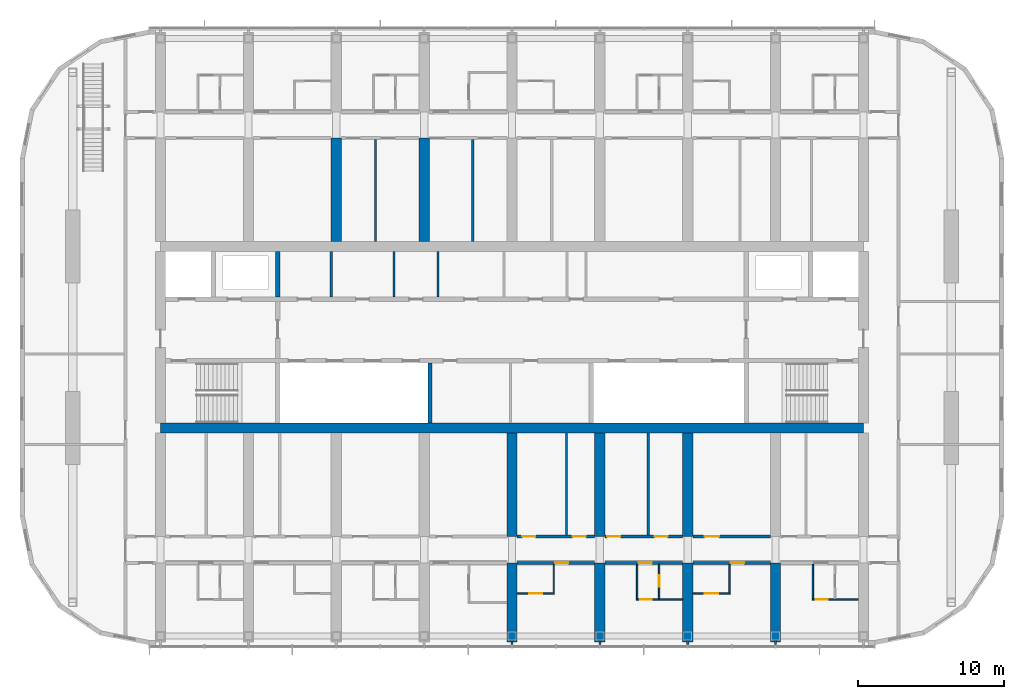
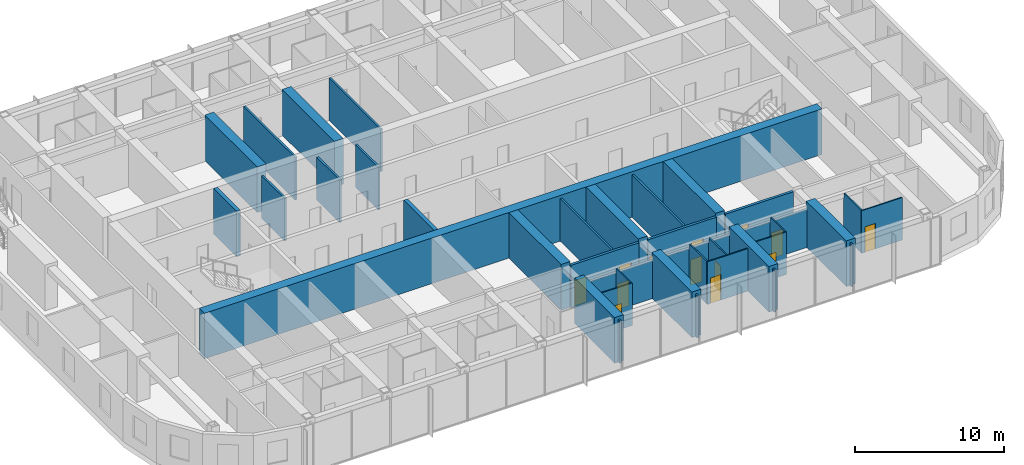
# One storey, part 14 of 26: 38 walls, 13 doors, 13 openings.
"""IFC4 building model written with IfcOpenShell, lengths in metres."""

from ifc_helpers import new_model, si_unit, direction, frame, frame_2d, origin, place, context, subcontext, project, spatial, polyline, rectangle, outline, extrude, material, layer, layer_set, type_object, element, fill, save


model = new_model("IFC4")

# Units and contexts
model_context = context("Model", 3, precision=1e-05, world=origin(), true_north=direction((0.0, 1.0)))
body_context = subcontext(model_context, "Body", "Model", "MODEL_VIEW")
ifc_project = project(units=[si_unit("LENGTHUNIT", "METRE"), si_unit("AREAUNIT", "SQUARE_METRE"), si_unit("VOLUMEUNIT", "CUBIC_METRE"), si_unit("PLANEANGLEUNIT", "RADIAN"), si_unit("MASSUNIT", "GRAM", prefix="KILO")], contexts=[model_context])

# Site, building, storey
site_placement = place(None, origin())
site = spatial("IfcSite", under=ifc_project, at=site_placement, CompositionType="ELEMENT")
building_placement = place(site_placement, origin())
building = spatial("IfcBuilding", under=site, at=building_placement, Name="Orbita Commons", CompositionType="ELEMENT")
storey_placement = place(building_placement, frame((0.0, 0.0, 231.550048828125)))
storey = spatial("IfcBuildingStorey", under=building, at=storey_placement, Name="L57", CompositionType="ELEMENT", Elevation=231.550048828125)

# Walls
ifc_material_1 = material(Name="Concrete C50/60", Category="concrete")
ifc_layer_1 = layer(ifc_material_1, 0.300048828125)
ifc_layer_set_1 = layer_set([ifc_layer_1], Name="Concrete C50/60")
wall_type_1 = type_object("IfcWallType", Name="Core inner wall 300 C50/60", PredefinedType="SHEAR", material=ifc_layer_set_1)
wall_1_placement = place(storey_placement, frame((26.0, 34.75, 0.0), z_axis=(0.0, 0.0, 1.0), x_axis=(0.0, 1.0, 0.0)))
element("IfcWall", 1, at=wall_1_placement, inside=storey, type_object=wall_type_1, Name="Riser wall west L57", PredefinedType="SHEAR", context=body_context, shape_type="SweptSolid", body=[
    extrude(rectangle(XDim=3.10009765625, YDim=0.300048828125, at=frame_2d((1.550048828125, 0.0))), origin(), (0.0, 0.0, 1.0), 3.75),
])
wall_2_placement = place(storey_placement, frame((36.39990234375, 26.14990234375, 0.0), z_axis=(0.0, 0.0, 1.0), x_axis=(0.0, 1.0, 0.0)))
element("IfcWall", 2, at=wall_2_placement, inside=storey, type_object=wall_type_1, Name="Hoistway division wall L57", PredefinedType="SHEAR", context=body_context, shape_type="SweptSolid", body=[
    extrude(rectangle(XDim=4.10009765625, YDim=0.300048828125, at=frame_2d((2.050048828125, 0.0))), origin(), (0.0, 0.0, 1.0), 3.75),
])
ifc_material_2 = material(Name="Concrete blockwork", Category="masonry")
ifc_layer_2 = layer(ifc_material_2, 0.14990234375)
ifc_layer_set_2 = layer_set([ifc_layer_2], Name="Concrete blockwork")
wall_type_2 = type_object("IfcWallType", Name="Core partition 150 blockwork", PredefinedType="SOLIDWALL", material=ifc_layer_set_2)
for number, where, z_axis, x_axis, name in (
    (3, (29.65087890625, 34.75, 0.0), (0.0, 0.0, 1.0), (0.0, 1.0, 0.0), "Core partition 150 blockwork L57"),
    (4, (33.9462890625, 34.75, 0.0), (0.0, 0.0, 1.0), (0.0, 1.0, 0.0), "Core partition 150 blockwork L57"),
    (5, (36.9462890625, 34.75, 0.0), (0.0, 0.0, 1.0), (0.0, 1.0, 0.0), "Core partition 150 blockwork L57"),
):
    element("IfcWall", number, at=place(storey_placement, frame(where, z_axis=z_axis, x_axis=x_axis)), inside=storey, type_object=wall_type_2, Name=name, PredefinedType="SOLIDWALL", context=body_context, shape_type="SweptSolid", body=[
        extrude(rectangle(XDim=3.10009765625, YDim=0.14990234375, at=frame_2d((1.550048828125, 0.0))), origin(), (0.0, 0.0, 1.0), 3.5),
    ])
ifc_material_3 = material(Name="Concrete C50/60", Category="concrete")
ifc_layer_3 = layer(ifc_material_3, 0.699951171875)
ifc_layer_set_3 = layer_set([ifc_layer_3], Name="Concrete C50/60")
wall_type_3 = type_object("IfcWallType", Name="Core wall 700 C50/60", PredefinedType="SHEAR", material=ifc_layer_set_3)
wall_3_placement = place(storey_placement, frame((18.0, 25.800048828125, 0.0), z_axis=(0.0, 0.0, 1.0), x_axis=(1.0, 0.0, 0.0)))
element("IfcWall", 6, at=wall_3_placement, inside=storey, type_object=wall_type_3, Name="Core spine wall south L57", PredefinedType="SHEAR", context=body_context, shape_type="SweptSolid", body=[
    extrude(rectangle(XDim=48.0, YDim=0.699951171875, at=frame_2d((24.0, 0.0))), origin(), (0.0, 0.0, 1.0), 3.75),
])

# Wall, opening, door
ifc_material_4 = material(Name="Concrete blockwork", Category="masonry")
ifc_layer_4 = layer(ifc_material_4, 0.199951171875)
ifc_layer_set_4 = layer_set([ifc_layer_4], Name="Concrete blockwork")
wall_type_4 = type_object("IfcWallType", Name="Corridor wall 200 blockwork", PredefinedType="SOLIDWALL", material=ifc_layer_set_4)
wall_4_placement = place(storey_placement, frame((42.35009765625, 16.60009765625, 0.0), z_axis=(0.0, 0.0, 1.0), x_axis=(1.0, 0.0, 0.0)))
wall_4 = element("IfcWall", 7, at=wall_4_placement, inside=storey, type_object=wall_type_4, Name="Corridor wall 200 blockwork L57", PredefinedType="SOLIDWALL", context=body_context, shape_type="SweptSolid", body=[
    extrude(outline(polyline([(0.0, 0.0), (5.2998046875, 0.0), (5.300048828125, 3.099853515625), (0.0, 3.099853515625), (0.0, 0.0)])), frame((0.0, 0.10009765625, 0.0), z_axis=(0.0, -1.0, 0.0), x_axis=(1.0, 0.0, 0.0)), (0.0, 0.0, 1.0), 0.199951171875),
])
opening_1_placement = place(wall_4_placement, frame((2.60009765625, 0.0, 0.0)))
opening_1 = element("IfcOpeningElement", 8, at=opening_1_placement, cuts=wall_4, Name="Opening D11", PredefinedType="OPENING", context=body_context, shape_type="SweptSolid", body=[
    extrude(rectangle(XDim=0.89990234375, YDim=2.10009765625, at=frame_2d((0.449951171875, 1.050048828125))), frame((0.0, 0.10986328125, 0.0), z_axis=(0.0, -1.0, 0.0), x_axis=(1.0, 0.0, 0.0)), (0.0, 0.0, 1.0), 0.219970703125),
])
ifc_material_5 = material(Name="Steel-faced fire door leaf", Category="steel")
door_type_1 = type_object("IfcDoorType", Name="Corridor door 20 min 900x2100", OperationType="SINGLE_SWING_LEFT", PredefinedType="DOOR", material=ifc_material_5)
door_1_placement = place(opening_1_placement, origin())
door_1 = element("IfcDoor", 9, at=door_1_placement, inside=storey, type_object=door_type_1, Name="Studio apartment with kitchenette L57-S08 door", OperationType="SINGLE_SWING_LEFT", OverallHeight=2.10009765625, OverallWidth=0.89990234375, PredefinedType="DOOR", context=body_context, shape_type="SweptSolid", body=[
    extrude(rectangle(XDim=0.89990234375, YDim=2.10009765625, at=frame_2d((0.449951171875, 1.050048828125))), frame((0.0, 0.02490234375, 0.0), z_axis=(0.0, -1.0, 0.0), x_axis=(1.0, 0.0, 0.0)), (0.0, 0.0, 1.0), 0.050048828125),
])
fill(opening_1, door_1)

wall_5_placement = place(storey_placement, frame((48.35009765625, 16.60009765625, 0.0), z_axis=(0.0, 0.0, 1.0), x_axis=(1.0, 0.0, 0.0)))
wall_5 = element("IfcWall", 10, at=wall_5_placement, inside=storey, type_object=wall_type_4, Name="Corridor wall 200 blockwork L57", PredefinedType="SOLIDWALL", context=body_context, shape_type="SweptSolid", body=[
    extrude(outline(polyline([(0.0, 0.0), (5.2998046875, 0.0), (5.300048828125, 3.099853515625), (0.0, 3.099853515625), (0.0, 0.0)])), frame((0.0, 0.10009765625, 0.0), z_axis=(0.0, -1.0, 0.0), x_axis=(1.0, 0.0, 0.0)), (0.0, 0.0, 1.0), 0.199951171875),
])
opening_2_placement = place(wall_5_placement, frame((2.300048828125, 0.0, 0.0)))
opening_2 = element("IfcOpeningElement", 11, at=opening_2_placement, cuts=wall_5, Name="Opening D11", PredefinedType="OPENING", context=body_context, shape_type="SweptSolid", body=[
    extrude(rectangle(XDim=0.89990234375, YDim=2.10009765625, at=frame_2d((0.449951171875, 1.050048828125))), frame((0.0, 0.10986328125, 0.0), z_axis=(0.0, -1.0, 0.0), x_axis=(1.0, 0.0, 0.0)), (0.0, 0.0, 1.0), 0.219970703125),
])
door_2_placement = place(opening_2_placement, origin())
door_2 = element("IfcDoor", 12, at=door_2_placement, inside=storey, type_object=door_type_1, Name="Studio flat L57-S10 entrance door", OperationType="SINGLE_SWING_LEFT", OverallHeight=2.10009765625, OverallWidth=0.89990234375, PredefinedType="DOOR", context=body_context, shape_type="SweptSolid", body=[
    extrude(rectangle(XDim=0.89990234375, YDim=2.10009765625, at=frame_2d((0.449951171875, 1.050048828125))), frame((0.0, 0.02490234375, 0.0), z_axis=(0.0, -1.0, 0.0), x_axis=(1.0, 0.0, 0.0)), (0.0, 0.0, 1.0), 0.050048828125),
])
fill(opening_2, door_2)

wall_6_placement = place(storey_placement, frame((54.35009765625, 16.60009765625, 0.0), z_axis=(0.0, 0.0, 1.0), x_axis=(1.0, 0.0, 0.0)))
wall_6 = element("IfcWall", 13, at=wall_6_placement, inside=storey, type_object=wall_type_4, Name="Corridor wall 200 blockwork L57", PredefinedType="SOLIDWALL", context=body_context, shape_type="SweptSolid", body=[
    extrude(outline(polyline([(0.0, 0.0), (5.2998046875, 0.0), (5.300048828125, 3.099853515625), (0.0, 3.099853515625), (0.0, 0.0)])), frame((0.0, 0.10009765625, 0.0), z_axis=(0.0, -1.0, 0.0), x_axis=(1.0, 0.0, 0.0)), (0.0, 0.0, 1.0), 0.199951171875),
])
opening_3_placement = place(wall_6_placement, frame((2.60009765625, 0.0, 0.0)))
opening_3 = element("IfcOpeningElement", 14, at=opening_3_placement, cuts=wall_6, Name="Opening D11", PredefinedType="OPENING", context=body_context, shape_type="SweptSolid", body=[
    extrude(rectangle(XDim=0.89990234375, YDim=2.10009765625, at=frame_2d((0.449951171875, 1.050048828125))), frame((0.0, 0.10986328125, 0.0), z_axis=(0.0, -1.0, 0.0), x_axis=(1.0, 0.0, 0.0)), (0.0, 0.0, 1.0), 0.219970703125),
])
door_3_placement = place(opening_3_placement, origin())
door_3 = element("IfcDoor", 15, at=door_3_placement, inside=storey, type_object=door_type_1, Name="Studio apartment with kitchenette L57-S12 door", OperationType="SINGLE_SWING_LEFT", OverallHeight=2.10009765625, OverallWidth=0.89990234375, PredefinedType="DOOR", context=body_context, shape_type="SweptSolid", body=[
    extrude(rectangle(XDim=0.89990234375, YDim=2.10009765625, at=frame_2d((0.449951171875, 1.050048828125))), frame((0.0, 0.02490234375, 0.0), z_axis=(0.0, -1.0, 0.0), x_axis=(1.0, 0.0, 0.0)), (0.0, 0.0, 1.0), 0.050048828125),
])
fill(opening_3, door_3)

# Wall, openings, doors
ifc_material_6 = material(Name="Hollow concrete block 200", Category="concrete")
ifc_layer_5 = layer(ifc_material_6, 0.199951171875)
ifc_layer_set_5 = layer_set([ifc_layer_5], Name="Hollow concrete block 200")
wall_type_5 = type_object("IfcWallType", Name="Corridor wall 200 hollow concrete block", PredefinedType="SOLIDWALL", material=ifc_layer_set_5)
wall_7_placement = place(storey_placement, frame((42.35009765625, 18.39990234375, 0.0), z_axis=(0.0, 0.0, 1.0), x_axis=(1.0, 0.0, 0.0)))
wall_7 = element("IfcWall", 16, at=wall_7_placement, inside=storey, type_object=wall_type_5, Name="Corridor wall 200 hollow concrete block L57", PredefinedType="SOLIDWALL", context=body_context, shape_type="SweptSolid", body=[
    extrude(rectangle(XDim=5.2998046875, YDim=0.199951171875, at=frame_2d((2.64990234375, 0.0))), origin(), (0.0, 0.0, 1.0), 3.5),
])
opening_4_placement = place(wall_7_placement, frame((0.35009765625, 0.0, 0.0)))
opening_4 = element("IfcOpeningElement", 17, at=opening_4_placement, cuts=wall_7, Name="Opening D11", PredefinedType="OPENING", context=body_context, shape_type="SweptSolid", body=[
    extrude(rectangle(XDim=0.89990234375, YDim=2.10009765625, at=frame_2d((0.449951171875, 1.050048828125))), frame((0.0, 0.10986328125, 0.0), z_axis=(0.0, -1.0, 0.0), x_axis=(1.0, 0.0, 0.0)), (0.0, 0.0, 1.0), 0.219970703125),
])
opening_5_placement = place(wall_7_placement, frame((3.7900390625, 0.0, 0.0)))
opening_5 = element("IfcOpeningElement", 18, at=opening_5_placement, cuts=wall_7, Name="Opening D11", PredefinedType="OPENING", context=body_context, shape_type="SweptSolid", body=[
    extrude(rectangle(XDim=0.89990234375, YDim=2.10009765625, at=frame_2d((0.449951171875, 1.050048828125))), frame((0.0, 0.10986328125, 0.0), z_axis=(0.0, -1.0, 0.0), x_axis=(1.0, 0.0, 0.0)), (0.0, 0.0, 1.0), 0.219970703125),
])
door_4_placement = place(opening_4_placement, origin())
door_4 = element("IfcDoor", 19, at=door_4_placement, inside=storey, type_object=door_type_1, Name="Prayer room L57-BDS42 door", OperationType="SINGLE_SWING_LEFT", OverallHeight=2.10009765625, OverallWidth=0.89990234375, PredefinedType="DOOR", context=body_context, shape_type="SweptSolid", body=[
    extrude(rectangle(XDim=0.89990234375, YDim=2.10009765625, at=frame_2d((0.449951171875, 1.050048828125))), frame((0.0, 0.02490234375, 0.0), z_axis=(0.0, -1.0, 0.0), x_axis=(1.0, 0.0, 0.0)), (0.0, 0.0, 1.0), 0.050048828125),
])
fill(opening_4, door_4)
door_5_placement = place(opening_5_placement, origin())
door_5 = element("IfcDoor", 20, at=door_5_placement, inside=storey, type_object=door_type_1, Name="Sprinkler valve room L57-BDS42n door", OperationType="SINGLE_SWING_LEFT", OverallHeight=2.10009765625, OverallWidth=0.89990234375, PredefinedType="DOOR", context=body_context, shape_type="SweptSolid", body=[
    extrude(rectangle(XDim=0.89990234375, YDim=2.10009765625, at=frame_2d((0.449951171875, 1.050048828125))), frame((0.0, 0.02490234375, 0.0), z_axis=(0.0, -1.0, 0.0), x_axis=(1.0, 0.0, 0.0)), (0.0, 0.0, 1.0), 0.050048828125),
])
fill(opening_5, door_5)

wall_8_placement = place(storey_placement, frame((48.35009765625, 18.39990234375, 0.0), z_axis=(0.0, 0.0, 1.0), x_axis=(1.0, 0.0, 0.0)))
wall_8 = element("IfcWall", 21, at=wall_8_placement, inside=storey, type_object=wall_type_5, Name="Corridor wall 200 hollow concrete block L57", PredefinedType="SOLIDWALL", context=body_context, shape_type="SweptSolid", body=[
    extrude(rectangle(XDim=5.2998046875, YDim=0.199951171875, at=frame_2d((2.64990234375, 0.0))), origin(), (0.0, 0.0, 1.0), 3.5),
])
opening_6_placement = place(wall_8_placement, frame((0.14990234375, 0.0, 0.0)))
opening_6 = element("IfcOpeningElement", 22, at=opening_6_placement, cuts=wall_8, Name="Opening D11", PredefinedType="OPENING", context=body_context, shape_type="SweptSolid", body=[
    extrude(rectangle(XDim=0.89990234375, YDim=2.10009765625, at=frame_2d((0.449951171875, 1.050048828125))), frame((0.0, 0.10986328125, 0.0), z_axis=(0.0, -1.0, 0.0), x_axis=(1.0, 0.0, 0.0)), (0.0, 0.0, 1.0), 0.219970703125),
])
opening_7_placement = place(wall_8_placement, frame((3.385009765625, 0.0, 0.0)))
opening_7 = element("IfcOpeningElement", 23, at=opening_7_placement, cuts=wall_8, Name="Opening D11", PredefinedType="OPENING", context=body_context, shape_type="SweptSolid", body=[
    extrude(rectangle(XDim=0.89990234375, YDim=2.10009765625, at=frame_2d((0.449951171875, 1.050048828125))), frame((0.0, 0.10986328125, 0.0), z_axis=(0.0, -1.0, 0.0), x_axis=(1.0, 0.0, 0.0)), (0.0, 0.0, 1.0), 0.219970703125),
])
door_6_placement = place(opening_6_placement, origin())
door_6 = element("IfcDoor", 24, at=door_6_placement, inside=storey, type_object=door_type_1, Name="Electrical and data room L57-BDS48 door", OperationType="SINGLE_SWING_LEFT", OverallHeight=2.10009765625, OverallWidth=0.89990234375, PredefinedType="DOOR", context=body_context, shape_type="SweptSolid", body=[
    extrude(rectangle(XDim=0.89990234375, YDim=2.10009765625, at=frame_2d((0.449951171875, 1.050048828125))), frame((0.0, 0.02490234375, 0.0), z_axis=(0.0, -1.0, 0.0), x_axis=(1.0, 0.0, 0.0)), (0.0, 0.0, 1.0), 0.050048828125),
])
fill(opening_6, door_6)
door_7_placement = place(opening_7_placement, origin())
door_7 = element("IfcDoor", 25, at=door_7_placement, inside=storey, type_object=door_type_1, Name="Water heater cupboard L57-BDS48n door", OperationType="SINGLE_SWING_LEFT", OverallHeight=2.10009765625, OverallWidth=0.89990234375, PredefinedType="DOOR", context=body_context, shape_type="SweptSolid", body=[
    extrude(rectangle(XDim=0.89990234375, YDim=2.10009765625, at=frame_2d((0.449951171875, 1.050048828125))), frame((0.0, 0.02490234375, 0.0), z_axis=(0.0, -1.0, 0.0), x_axis=(1.0, 0.0, 0.0)), (0.0, 0.0, 1.0), 0.050048828125),
])
fill(opening_7, door_7)

# Wall, opening, door
wall_9_placement = place(storey_placement, frame((54.35009765625, 18.39990234375, 0.0), z_axis=(0.0, 0.0, 1.0), x_axis=(1.0, 0.0, 0.0)))
wall_9 = element("IfcWall", 26, at=wall_9_placement, inside=storey, type_object=wall_type_5, Name="Corridor wall 200 hollow concrete block L57", PredefinedType="SOLIDWALL", context=body_context, shape_type="SweptSolid", body=[
    extrude(rectangle(XDim=5.2998046875, YDim=0.199951171875, at=frame_2d((2.64990234375, 0.0))), origin(), (0.0, 0.0, 1.0), 3.5),
])
opening_8_placement = place(wall_9_placement, frame((0.800048828125, 0.0, 0.0)))
opening_8 = element("IfcOpeningElement", 27, at=opening_8_placement, cuts=wall_9, Name="Opening D06", PredefinedType="OPENING", context=body_context, shape_type="SweptSolid", body=[
    extrude(rectangle(XDim=1.0, YDim=2.10009765625, at=frame_2d((0.5, 1.050048828125))), frame((0.0, 0.10986328125, 0.0), z_axis=(0.0, -1.0, 0.0), x_axis=(1.0, 0.0, 0.0)), (0.0, 0.0, 1.0), 0.219970703125),
])
ifc_material_7 = material(Name="Steel-faced fire door leaf", Category="steel")
door_type_2 = type_object("IfcDoorType", Name="Corridor door 20 min 1000x2100", OperationType="SINGLE_SWING_LEFT", PredefinedType="DOOR", material=ifc_material_7)
door_8_placement = place(opening_8_placement, origin())
door_8 = element("IfcDoor", 28, at=door_8_placement, inside=storey, type_object=door_type_2, Name="Ventilation plant room south L57-BDS54 door", OperationType="SINGLE_SWING_LEFT", OverallHeight=2.10009765625, OverallWidth=1.0, PredefinedType="DOOR", context=body_context, shape_type="SweptSolid", body=[
    extrude(rectangle(XDim=1.0, YDim=2.10009765625, at=frame_2d((0.5, 1.050048828125))), frame((0.0, 0.02490234375, 0.0), z_axis=(0.0, -1.0, 0.0), x_axis=(1.0, 0.0, 0.0)), (0.0, 0.0, 1.0), 0.050048828125),
])
fill(opening_8, door_8)

# Walls
ifc_material_8 = material(Name="Concrete C50/60", Category="concrete")
ifc_layer_6 = layer(ifc_material_8, 0.699951171875)
ifc_layer_set_6 = layer_set([ifc_layer_6], Name="Concrete C50/60")
wall_type_6 = type_object("IfcWallType", Name="Cross wall 700 C50/60", PredefinedType="SHEAR", material=ifc_layer_set_6)
for number, where, z_axis, x_axis, name in (
    (29, (30.0, 38.550048828125, 0.0), (0.0, 0.0, 1.0), (0.0, 1.0, 0.0), "Cross wall 6 north inner L57"),
    (30, (36.0, 38.550048828125, 0.0), (0.0, 0.0, 1.0), (0.0, 1.0, 0.0), "Cross wall 7 north inner L57"),
):
    element("IfcWall", number, at=place(storey_placement, frame(where, z_axis=z_axis, x_axis=x_axis)), inside=storey, type_object=wall_type_6, Name=name, PredefinedType="SHEAR", context=body_context, shape_type="SweptSolid", body=[
        extrude(rectangle(XDim=7.050048828125, YDim=0.699951171875, at=frame_2d((3.52490234375, 0.0))), origin(), (0.0, 0.0, 1.0), 3.75),
    ])
wall_10_placement = place(storey_placement, frame((42.0, 11.199951171875, 0.0), z_axis=(0.0, 0.0, 1.0), x_axis=(0.0, 1.0, 0.0)))
element("IfcWall", 31, at=wall_10_placement, inside=storey, type_object=wall_type_6, Name="Cross wall 8 south outer L57", PredefinedType="SHEAR", context=body_context, shape_type="SweptSolid", body=[
    extrude(rectangle(XDim=5.400146484375, YDim=0.699951171875, at=frame_2d((2.7001953125, 0.0))), origin(), (0.0, 0.0, 1.0), 3.75),
])
wall_11_placement = place(storey_placement, frame((42.0, 18.39990234375, 0.0), z_axis=(0.0, 0.0, 1.0), x_axis=(0.0, 1.0, 0.0)))
element("IfcWall", 32, at=wall_11_placement, inside=storey, type_object=wall_type_6, Name="Cross wall 8 south inner L57", PredefinedType="SHEAR", context=body_context, shape_type="SweptSolid", body=[
    extrude(rectangle(XDim=7.050048828125, YDim=0.699951171875, at=frame_2d((3.52490234375, 0.0))), origin(), (0.0, 0.0, 1.0), 3.75),
])
wall_12_placement = place(storey_placement, frame((48.0, 11.199951171875, 0.0), z_axis=(0.0, 0.0, 1.0), x_axis=(0.0, 1.0, 0.0)))
element("IfcWall", 33, at=wall_12_placement, inside=storey, type_object=wall_type_6, Name="Cross wall 9 south outer L57", PredefinedType="SHEAR", context=body_context, shape_type="SweptSolid", body=[
    extrude(rectangle(XDim=5.400146484375, YDim=0.699951171875, at=frame_2d((2.7001953125, 0.0))), origin(), (0.0, 0.0, 1.0), 3.75),
])
wall_13_placement = place(storey_placement, frame((48.0, 18.39990234375, 0.0), z_axis=(0.0, 0.0, 1.0), x_axis=(0.0, 1.0, 0.0)))
element("IfcWall", 34, at=wall_13_placement, inside=storey, type_object=wall_type_6, Name="Cross wall 9 south inner L57", PredefinedType="SHEAR", context=body_context, shape_type="SweptSolid", body=[
    extrude(rectangle(XDim=7.050048828125, YDim=0.699951171875, at=frame_2d((3.52490234375, 0.0))), origin(), (0.0, 0.0, 1.0), 3.75),
])
wall_14_placement = place(storey_placement, frame((54.0, 11.199951171875, 0.0), z_axis=(0.0, 0.0, 1.0), x_axis=(0.0, 1.0, 0.0)))
element("IfcWall", 35, at=wall_14_placement, inside=storey, type_object=wall_type_6, Name="Cross wall 10 south outer L57", PredefinedType="SHEAR", context=body_context, shape_type="SweptSolid", body=[
    extrude(rectangle(XDim=5.400146484375, YDim=0.699951171875, at=frame_2d((2.7001953125, 0.0))), origin(), (0.0, 0.0, 1.0), 3.75),
])
wall_15_placement = place(storey_placement, frame((54.0, 18.39990234375, 0.0), z_axis=(0.0, 0.0, 1.0), x_axis=(0.0, 1.0, 0.0)))
element("IfcWall", 36, at=wall_15_placement, inside=storey, type_object=wall_type_6, Name="Cross wall 10 south inner L57", PredefinedType="SHEAR", context=body_context, shape_type="SweptSolid", body=[
    extrude(rectangle(XDim=7.050048828125, YDim=0.699951171875, at=frame_2d((3.52490234375, 0.0))), origin(), (0.0, 0.0, 1.0), 3.75),
])
wall_16_placement = place(storey_placement, frame((60.0, 11.199951171875, 0.0), z_axis=(0.0, 0.0, 1.0), x_axis=(0.0, 1.0, 0.0)))
element("IfcWall", 37, at=wall_16_placement, inside=storey, type_object=wall_type_6, Name="Cross wall 11 south outer L57", PredefinedType="SHEAR", context=body_context, shape_type="SweptSolid", body=[
    extrude(rectangle(XDim=5.400146484375, YDim=0.699951171875, at=frame_2d((2.7001953125, 0.0))), origin(), (0.0, 0.0, 1.0), 3.75),
])

# Wall, opening, door
ifc_material_9 = material(Name="Moisture-resistant plasterboard on steel studs", Category="steel")
ifc_layer_7 = layer(ifc_material_9, 0.10009765625)
ifc_layer_set_7 = layer_set([ifc_layer_7], Name="Moisture-resistant plasterboard on steel studs")
wall_type_7 = type_object("IfcWallType", Name="En-suite partition 100", PredefinedType="PARTITIONING", material=ifc_layer_set_7)
wall_17_placement = place(storey_placement, frame((44.89990234375, 14.5, 0.0), z_axis=(0.0, 0.0, 1.0), x_axis=(-1.0, 0.0, 0.0)))
wall_17 = element("IfcWall", 38, at=wall_17_placement, inside=storey, type_object=wall_type_7, Name="En-suite partition 100 L57", PredefinedType="PARTITIONING", context=body_context, shape_type="SweptSolid", body=[
    extrude(rectangle(XDim=2.5498046875, YDim=0.10009765625, at=frame_2d((1.27490234375, 0.0))), origin(), (0.0, 0.0, 1.0), 3.5),
])
opening_9_placement = place(wall_17_placement, frame((0.824951171875, 0.0, 0.0)))
opening_9 = element("IfcOpeningElement", 39, at=opening_9_placement, cuts=wall_17, Name="Opening D09", PredefinedType="OPENING", context=body_context, shape_type="SweptSolid", body=[
    extrude(rectangle(XDim=0.89990234375, YDim=2.10009765625, at=frame_2d((0.449951171875, 1.050048828125))), frame((0.0, 0.06005859375, 0.0), z_axis=(0.0, -1.0, 0.0), x_axis=(1.0, 0.0, 0.0)), (0.0, 0.0, 1.0), 0.1201171875),
])
ifc_material_10 = material(Name="Laminated timber door leaf", Category="wood")
door_type_3 = type_object("IfcDoorType", Name="En-suite door 900x2100", OperationType="SINGLE_SWING_RIGHT", PredefinedType="DOOR", material=ifc_material_10)
door_9_placement = place(opening_9_placement, origin())
door_9 = element("IfcDoor", 40, at=door_9_placement, inside=storey, type_object=door_type_3, Name="En-suite L57-S08 door", OperationType="SINGLE_SWING_RIGHT", OverallHeight=2.10009765625, OverallWidth=0.89990234375, PredefinedType="DOOR", context=body_context, shape_type="SweptSolid", body=[
    extrude(rectangle(XDim=0.89990234375, YDim=2.10009765625, at=frame_2d((0.449951171875, 1.050048828125))), frame((0.0, 0.02490234375, 0.0), z_axis=(0.0, -1.0, 0.0), x_axis=(1.0, 0.0, 0.0)), (0.0, 0.0, 1.0), 0.050048828125),
])
fill(opening_9, door_9)

# Wall
wall_18_placement = place(storey_placement, frame((44.85009765625, 14.550048828125, 0.0), z_axis=(0.0, 0.0, 1.0), x_axis=(0.0, 1.0, 0.0)))
element("IfcWall", 41, at=wall_18_placement, inside=storey, type_object=wall_type_7, Name="En-suite partition 100 L57", PredefinedType="PARTITIONING", context=body_context, shape_type="SweptSolid", body=[
    extrude(outline(polyline([(0.0, 0.0), (1.949951171875, 0.0), (1.949951171875, 3.099853515625), (1.902099609375, 3.099853515625), (1.89990234375, 3.5), (0.0, 3.5), (0.0, 0.0)])), frame((0.0, 0.050048828125, 0.0), z_axis=(0.0, -1.0, 0.0), x_axis=(1.0, 0.0, 0.0)), (0.0, 0.0, 1.0), 0.10009765625),
])

# Wall, opening, door
wall_19_placement = place(storey_placement, frame((53.64990234375, 14.10009765625, 0.0), z_axis=(0.0, 0.0, 1.0), x_axis=(-1.0, 0.0, 0.0)))
wall_19 = element("IfcWall", 42, at=wall_19_placement, inside=storey, type_object=wall_type_7, Name="En-suite partition 100 L57", PredefinedType="PARTITIONING", context=body_context, shape_type="SweptSolid", body=[
    extrude(rectangle(XDim=3.14990234375, YDim=0.10009765625, at=frame_2d((1.574951171875, 0.0))), origin(), (0.0, 0.0, 1.0), 3.5),
])
opening_10_placement = place(wall_19_placement, frame((2.10009765625, 0.0, 0.0)))
opening_10 = element("IfcOpeningElement", 43, at=opening_10_placement, cuts=wall_19, Name="Opening D16", PredefinedType="OPENING", context=body_context, shape_type="SweptSolid", body=[
    extrude(rectangle(XDim=0.800048828125, YDim=2.10009765625, at=frame_2d((0.39990234375, 1.050048828125))), frame((0.0, 0.06005859375, 0.0), z_axis=(0.0, -1.0, 0.0), x_axis=(1.0, 0.0, 0.0)), (0.0, 0.0, 1.0), 0.1201171875),
])
ifc_material_11 = material(Name="Laminated timber door leaf", Category="wood")
door_type_4 = type_object("IfcDoorType", Name="En-suite door 800x2100", OperationType="SINGLE_SWING_RIGHT", PredefinedType="DOOR", material=ifc_material_11)
door_10_placement = place(opening_10_placement, origin())
door_10 = element("IfcDoor", 44, at=door_10_placement, inside=storey, type_object=door_type_4, Name="Studio flat L57-S10 door", OperationType="SINGLE_SWING_RIGHT", OverallHeight=2.10009765625, OverallWidth=0.800048828125, PredefinedType="DOOR", context=body_context, shape_type="SweptSolid", body=[
    extrude(rectangle(XDim=0.800048828125, YDim=2.10009765625, at=frame_2d((0.39990234375, 1.050048828125))), frame((0.0, 0.02490234375, 0.0), z_axis=(0.0, -1.0, 0.0), x_axis=(1.0, 0.0, 0.0)), (0.0, 0.0, 1.0), 0.050048828125),
])
fill(opening_10, door_10)

# Wall
wall_20_placement = place(storey_placement, frame((50.550048828125, 14.14990234375, 0.0), z_axis=(0.0, 0.0, 1.0), x_axis=(0.0, 1.0, 0.0)))
element("IfcWall", 45, at=wall_20_placement, inside=storey, type_object=wall_type_7, Name="En-suite partition 100 L57", PredefinedType="PARTITIONING", context=body_context, shape_type="SweptSolid", body=[
    extrude(outline(polyline([(0.0, 0.0), (2.35009765625, 0.0), (2.35009765625, 3.099853515625), (2.302001953125, 3.099853515625), (2.300048828125, 3.5), (0.0, 3.5), (0.0, 0.0)])), frame((0.0, 0.050048828125, 0.0), z_axis=(0.0, -1.0, 0.0), x_axis=(1.0, 0.0, 0.0)), (0.0, 0.0, 1.0), 0.10009765625),
])

# Wall, opening, door
wall_21_placement = place(storey_placement, frame((52.050048828125, 14.14990234375, 0.0), z_axis=(0.0, 0.0, 1.0), x_axis=(0.0, 1.0, 0.0)))
wall_21 = element("IfcWall", 46, at=wall_21_placement, inside=storey, type_object=wall_type_7, Name="En-suite partition 100 L57", PredefinedType="PARTITIONING", context=body_context, shape_type="SweptSolid", body=[
    extrude(outline(polyline([(0.0, 0.0), (2.35009765625, 0.0), (2.35009765625, 3.099853515625), (2.302001953125, 3.099853515625), (2.300048828125, 3.5), (0.0, 3.5), (0.0, 0.0)])), frame((0.0, 0.050048828125, 0.0), z_axis=(0.0, -1.0, 0.0), x_axis=(1.0, 0.0, 0.0)), (0.0, 0.0, 1.0), 0.10009765625),
])
opening_11_placement = place(wall_21_placement, frame((0.800048828125, 0.0, 0.0)))
opening_11 = element("IfcOpeningElement", 47, at=opening_11_placement, cuts=wall_21, Name="Opening D16", PredefinedType="OPENING", context=body_context, shape_type="SweptSolid", body=[
    extrude(rectangle(XDim=0.800048828125, YDim=2.10009765625, at=frame_2d((0.39990234375, 1.050048828125))), frame((0.0, 0.06005859375, 0.0), z_axis=(0.0, -1.0, 0.0), x_axis=(1.0, 0.0, 0.0)), (0.0, 0.0, 1.0), 0.1201171875),
])
door_11_placement = place(opening_11_placement, origin())
door_11 = element("IfcDoor", 48, at=door_11_placement, inside=storey, type_object=door_type_4, Name="Studio flat shower room L57-S10 door", OperationType="SINGLE_SWING_RIGHT", OverallHeight=2.10009765625, OverallWidth=0.800048828125, PredefinedType="DOOR", context=body_context, shape_type="SweptSolid", body=[
    extrude(rectangle(XDim=0.800048828125, YDim=2.10009765625, at=frame_2d((0.39990234375, 1.050048828125))), frame((0.0, 0.02490234375, 0.0), z_axis=(0.0, -1.0, 0.0), x_axis=(1.0, 0.0, 0.0)), (0.0, 0.0, 1.0), 0.050048828125),
])
fill(opening_11, door_11)

wall_22_placement = place(storey_placement, frame((56.89990234375, 14.5, 0.0), z_axis=(0.0, 0.0, 1.0), x_axis=(-1.0, 0.0, 0.0)))
wall_22 = element("IfcWall", 49, at=wall_22_placement, inside=storey, type_object=wall_type_7, Name="En-suite partition 100 L57", PredefinedType="PARTITIONING", context=body_context, shape_type="SweptSolid", body=[
    extrude(rectangle(XDim=2.5498046875, YDim=0.10009765625, at=frame_2d((1.27490234375, 0.0))), origin(), (0.0, 0.0, 1.0), 3.5),
])
opening_12_placement = place(wall_22_placement, frame((0.824951171875, 0.0, 0.0)))
opening_12 = element("IfcOpeningElement", 50, at=opening_12_placement, cuts=wall_22, Name="Opening D09", PredefinedType="OPENING", context=body_context, shape_type="SweptSolid", body=[
    extrude(rectangle(XDim=0.89990234375, YDim=2.10009765625, at=frame_2d((0.449951171875, 1.050048828125))), frame((0.0, 0.06005859375, 0.0), z_axis=(0.0, -1.0, 0.0), x_axis=(1.0, 0.0, 0.0)), (0.0, 0.0, 1.0), 0.1201171875),
])
door_12_placement = place(opening_12_placement, origin())
door_12 = element("IfcDoor", 51, at=door_12_placement, inside=storey, type_object=door_type_3, Name="En-suite L57-S12 door", OperationType="SINGLE_SWING_RIGHT", OverallHeight=2.10009765625, OverallWidth=0.89990234375, PredefinedType="DOOR", context=body_context, shape_type="SweptSolid", body=[
    extrude(rectangle(XDim=0.89990234375, YDim=2.10009765625, at=frame_2d((0.449951171875, 1.050048828125))), frame((0.0, 0.02490234375, 0.0), z_axis=(0.0, -1.0, 0.0), x_axis=(1.0, 0.0, 0.0)), (0.0, 0.0, 1.0), 0.050048828125),
])
fill(opening_12, door_12)

# Wall
wall_23_placement = place(storey_placement, frame((56.85009765625, 14.550048828125, 0.0), z_axis=(0.0, 0.0, 1.0), x_axis=(0.0, 1.0, 0.0)))
element("IfcWall", 52, at=wall_23_placement, inside=storey, type_object=wall_type_7, Name="En-suite partition 100 L57", PredefinedType="PARTITIONING", context=body_context, shape_type="SweptSolid", body=[
    extrude(outline(polyline([(0.0, 0.0), (1.949951171875, 0.0), (1.949951171875, 3.099853515625), (1.902099609375, 3.099853515625), (1.89990234375, 3.5), (0.0, 3.5), (0.0, 0.0)])), frame((0.0, 0.050048828125, 0.0), z_axis=(0.0, -1.0, 0.0), x_axis=(1.0, 0.0, 0.0)), (0.0, 0.0, 1.0), 0.10009765625),
])

# Wall, opening, door
wall_24_placement = place(storey_placement, frame((65.64990234375, 14.10009765625, 0.0), z_axis=(0.0, 0.0, 1.0), x_axis=(-1.0, 0.0, 0.0)))
wall_24 = element("IfcWall", 53, at=wall_24_placement, inside=storey, type_object=wall_type_7, Name="En-suite partition 100 L57", PredefinedType="PARTITIONING", context=body_context, shape_type="SweptSolid", body=[
    extrude(rectangle(XDim=3.14990234375, YDim=0.10009765625, at=frame_2d((1.574951171875, 0.0))), origin(), (0.0, 0.0, 1.0), 3.5),
])
opening_13_placement = place(wall_24_placement, frame((2.10009765625, 0.0, 0.0)))
opening_13 = element("IfcOpeningElement", 54, at=opening_13_placement, cuts=wall_24, Name="Opening D16", PredefinedType="OPENING", context=body_context, shape_type="SweptSolid", body=[
    extrude(rectangle(XDim=0.800048828125, YDim=2.10009765625, at=frame_2d((0.39990234375, 1.050048828125))), frame((0.0, 0.06005859375, 0.0), z_axis=(0.0, -1.0, 0.0), x_axis=(1.0, 0.0, 0.0)), (0.0, 0.0, 1.0), 0.1201171875),
])
door_13_placement = place(opening_13_placement, origin())
door_13 = element("IfcDoor", 55, at=door_13_placement, inside=storey, type_object=door_type_4, Name="Studio flat L57-S14 door", OperationType="SINGLE_SWING_RIGHT", OverallHeight=2.10009765625, OverallWidth=0.800048828125, PredefinedType="DOOR", context=body_context, shape_type="SweptSolid", body=[
    extrude(rectangle(XDim=0.800048828125, YDim=2.10009765625, at=frame_2d((0.39990234375, 1.050048828125))), frame((0.0, 0.02490234375, 0.0), z_axis=(0.0, -1.0, 0.0), x_axis=(1.0, 0.0, 0.0)), (0.0, 0.0, 1.0), 0.050048828125),
])
fill(opening_13, door_13)

# Walls
wall_25_placement = place(storey_placement, frame((62.550048828125, 14.14990234375, 0.0), z_axis=(0.0, 0.0, 1.0), x_axis=(0.0, 1.0, 0.0)))
element("IfcWall", 56, at=wall_25_placement, inside=storey, type_object=wall_type_7, Name="En-suite partition 100 L57", PredefinedType="PARTITIONING", context=body_context, shape_type="SweptSolid", body=[
    extrude(outline(polyline([(0.0, 0.0), (2.35009765625, 0.0), (2.35009765625, 3.099853515625), (2.302001953125, 3.099853515625), (2.300048828125, 3.5), (0.0, 3.5), (0.0, 0.0)])), frame((0.0, 0.050048828125, 0.0), z_axis=(0.0, -1.0, 0.0), x_axis=(1.0, 0.0, 0.0)), (0.0, 0.0, 1.0), 0.10009765625),
])
ifc_material_12 = material(Name="Gypsum plasterboard on steel studs", Category="steel")
ifc_layer_8 = layer(ifc_material_12, 0.14990234375)
ifc_layer_set_8 = layer_set([ifc_layer_8], Name="Gypsum plasterboard on steel studs")
wall_type_8 = type_object("IfcWallType", Name="Partition 150 plasterboard", PredefinedType="PARTITIONING", material=ifc_layer_set_8)
for number, where, z_axis, x_axis, name in (
    (57, (45.715087890625, 18.5, 0.0), (0.0, 0.0, 1.0), (0.0, 1.0, 0.0), "Partition 150 plasterboard L57"),
    (58, (51.31005859375, 18.5, 0.0), (0.0, 0.0, 1.0), (0.0, 1.0, 0.0), "Partition 150 plasterboard L57"),
    (59, (32.669921875, 38.550048828125, 0.0), (0.0, 0.0, 1.0), (0.0, 1.0, 0.0), "Partition 150 plasterboard L57"),
    (60, (39.320068359375, 38.550048828125, 0.0), (0.0, 0.0, 1.0), (0.0, 1.0, 0.0), "Partition 150 plasterboard L57"),
):
    element("IfcWall", number, at=place(storey_placement, frame(where, z_axis=z_axis, x_axis=x_axis)), inside=storey, type_object=wall_type_8, Name=name, PredefinedType="PARTITIONING", context=body_context, shape_type="SweptSolid", body=[
        extrude(rectangle(XDim=6.949951171875, YDim=0.14990234375, at=frame_2d((3.47509765625, 0.0))), origin(), (0.0, 0.0, 1.0), 3.5),
    ])
for number, where, z_axis, x_axis, name in (
    (61, (42.0, 11.300048828125, 0.0), (0.0, 0.0, 1.0), (0.0, -1.0, 0.0), "Partition 150 plasterboard L57"),
    (62, (48.0, 11.300048828125, 0.0), (0.0, 0.0, 1.0), (0.0, -1.0, 0.0), "Partition 150 plasterboard L57"),
    (63, (54.0, 11.300048828125, 0.0), (0.0, 0.0, 1.0), (0.0, -1.0, 0.0), "Partition 150 plasterboard L57"),
    (64, (60.0, 11.300048828125, 0.0), (0.0, 0.0, 1.0), (0.0, -1.0, 0.0), "Partition 150 plasterboard L57"),
):
    element("IfcWall", number, at=place(storey_placement, frame(where, z_axis=z_axis, x_axis=x_axis)), inside=storey, type_object=wall_type_8, Name=name, PredefinedType="PARTITIONING", context=body_context, shape_type="SweptSolid", body=[
        extrude(rectangle(XDim=0.2900390625, YDim=0.14990234375, at=frame_2d((0.14501953125, 0.0))), origin(), (0.0, 0.0, 1.0), 3.5),
    ])

save(model, "model.ifc")
